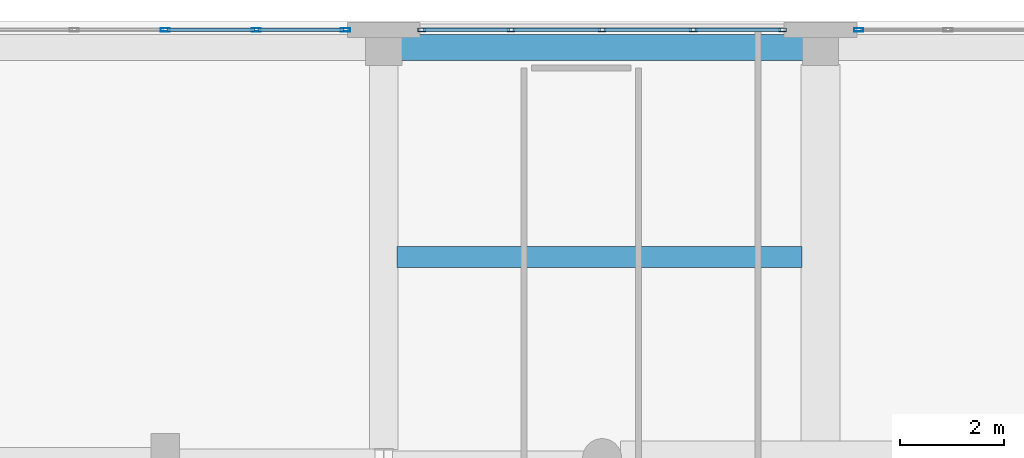
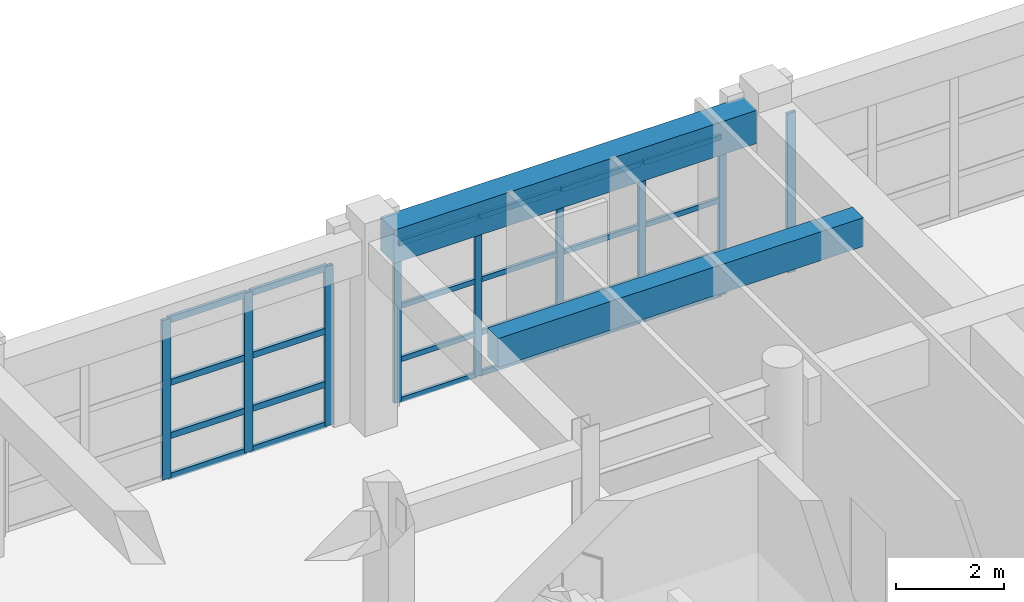
# One storey, part 72 of 123: 33 members, 2 beams, 3 elements without a shape of their own.
"""IFC4 building model written with IfcOpenShell, lengths in metres."""

from ifc_helpers import new_model, si_unit, direction, frame, origin, origin_2d, place, context, subcontext, project, spatial, rectangle, hollow_rectangle, extrude, material, layer, layer_set, material_profile, profile_set, type_object, element, aggregate, save


model = new_model("IFC4")

# Units and contexts
model_context = context("Model", 3, precision=1e-05, world=origin(), true_north=direction((0.0, 1.0)))
body_context = subcontext(model_context, "Body", "Model", "MODEL_VIEW")
ifc_project = project(units=[si_unit("LENGTHUNIT", "METRE"), si_unit("AREAUNIT", "SQUARE_METRE"), si_unit("VOLUMEUNIT", "CUBIC_METRE"), si_unit("PLANEANGLEUNIT", "RADIAN"), si_unit("MASSUNIT", "GRAM", prefix="KILO")], contexts=[model_context])

# Site, building, storey
site_placement = place(None, origin())
site = spatial("IfcSite", under=ifc_project, at=site_placement, CompositionType="ELEMENT")
building_placement = place(site_placement, origin())
building = spatial("IfcBuilding", under=site, at=building_placement, Name="Quendrovan Civic Courthouse", CompositionType="ELEMENT")
storey_placement = place(building_placement, frame((0.0, 0.0, 5.39990234375)))
storey = spatial("IfcBuildingStorey", under=building, at=storey_placement, Name="L02", CompositionType="ELEMENT", Elevation=5.39990234375)

# Beams
ifc_material_1 = material(Name="Concrete C40/50", Category="concrete")
ifc_material_profile_1 = material_profile(ifc_material_1, rectangle(XDim=0.39990234375, YDim=0.64990234375, at=origin_2d()), Name="RC-BM-400x650")
ifc_profile_set_1 = profile_set([ifc_material_profile_1], Name="Concrete C40/50")
beam_type_1 = type_object("IfcBeamType", Name="BM-RC650", PredefinedType="JOIST", material=ifc_profile_set_1)
beam_1_placement = place(storey_placement, frame((117.85498046875, 105.867919921875, 4.03515625), z_axis=(1.0, 0.0, 0.0), x_axis=(0.0, 1.0, 0.0)))
element("IfcBeam", 1, at=beam_1_placement, inside=storey, type_object=beam_type_1, Name="L02 Secondary Joist 0712", PredefinedType="JOIST", context=body_context, shape_type="SweptSolid", body=[
    extrude(rectangle(XDim=0.39990234375, YDim=0.64990234375, at=origin_2d()), origin(), (0.0, 0.0, 1.0), 7.7900390625),
])
ifc_material_profile_2 = material_profile(ifc_material_1, rectangle(XDim=0.5, YDim=0.75, at=origin_2d()), Name="RC-BM-500x750")
ifc_profile_set_2 = profile_set([ifc_material_profile_2], Name="Concrete C40/50")
beam_type_2 = type_object("IfcBeamType", Name="BM-RC750", PredefinedType="SPANDREL", material=ifc_profile_set_2)
beam_2_placement = place(storey_placement, frame((117.929931640625, 109.89990234375, 3.985107421875), z_axis=(1.0, 0.0, 0.0), x_axis=(0.0, 1.0, 0.0)))
element("IfcBeam", 2, at=beam_2_placement, inside=storey, type_object=beam_type_2, Name="L02 Girder X0600", PredefinedType="SPANDREL", context=body_context, shape_type="SweptSolid", body=[
    extrude(rectangle(XDim=0.5, YDim=0.75, at=origin_2d()), origin(), (0.0, 0.0, 1.0), 7.739990234375),
])

# Curtain wall, members
ifc_material_2 = material(Name="Bronze anodised aluminium and low-E glass", Category="aluminium")
ifc_layer = layer(ifc_material_2, 0.179931640625, Name="Bronze anodised aluminium and low-E glass")
ifc_layer_set = layer_set([ifc_layer], Name="Bronze anodised aluminium and low-E glass")
curtain_wall_type = type_object("IfcCurtainWallType", Name="CW-U70x36", PredefinedType="USERDEFINED", material=ifc_layer_set)
curtain_wall_1_placement = place(storey_placement, origin())
curtain_wall_1 = element("IfcCurtainWall", 3, at=curtain_wall_1_placement, inside=storey, type_object=curtain_wall_type, Name="L02 Unitised Hurricane Curtain Wall CW-090", ObjectType="UNITISED CURTAIN WALL", PredefinedType="USERDEFINED")
ifc_material_3 = material(Name="Bronze anodised aluminium", Category="aluminium")
ifc_material_profile_3 = material_profile(ifc_material_3, hollow_rectangle(XDim=0.070068359375, YDim=0.179931640625, WallThickness=0.00390625, at=origin_2d()), Name="CW-MULL-70x180")
ifc_profile_set_3 = profile_set([ifc_material_profile_3], Name="Bronze anodised aluminium")
member_type_1 = type_object("IfcMemberType", Name="CW-MULL-A", PredefinedType="MULLION", material=ifc_profile_set_3)
member_1_placement = place(storey_placement, frame((113.39990234375, 110.235107421875, 0.0), z_axis=(0.0, 0.0, 1.0), x_axis=(0.0, 1.0, 0.0)))
member_1 = element("IfcMember", 4, at=member_1_placement, type_object=member_type_1, Name="CW-090 mullion 3", PredefinedType="MULLION", context=body_context, shape_type="SweptSolid", body=[
    extrude(hollow_rectangle(XDim=0.070068359375, YDim=0.179931640625, WallThickness=0.00390625, at=origin_2d()), origin(), (0.0, 0.0, 1.0), 3.60009765625),
])
member_2_placement = place(storey_placement, frame((115.14990234375, 110.235107421875, 0.0), z_axis=(0.0, 0.0, 1.0), x_axis=(0.0, 1.0, 0.0)))
member_2 = element("IfcMember", 5, at=member_2_placement, type_object=member_type_1, Name="CW-090 mullion 4", PredefinedType="MULLION", context=body_context, shape_type="SweptSolid", body=[
    extrude(hollow_rectangle(XDim=0.070068359375, YDim=0.179931640625, WallThickness=0.00390625, at=origin_2d()), origin(), (0.0, 0.0, 1.0), 3.60009765625),
])
member_3_placement = place(storey_placement, frame((116.864990234375, 110.235107421875, 0.0), z_axis=(0.0, 0.0, 1.0), x_axis=(0.0, 1.0, 0.0)))
member_3 = element("IfcMember", 6, at=member_3_placement, type_object=member_type_1, Name="CW-090 mullion 5", PredefinedType="MULLION", context=body_context, shape_type="SweptSolid", body=[
    extrude(hollow_rectangle(XDim=0.070068359375, YDim=0.179931640625, WallThickness=0.00390625, at=origin_2d()), origin(), (0.0, 0.0, 1.0), 3.60009765625),
])

# Curtain wall, member
curtain_wall_2_placement = place(storey_placement, origin())
curtain_wall_2 = element("IfcCurtainWall", 7, at=curtain_wall_2_placement, inside=storey, type_object=curtain_wall_type, Name="L02 Unitised Hurricane Curtain Wall CW-092", ObjectType="UNITISED CURTAIN WALL", PredefinedType="USERDEFINED")
member_4_placement = place(storey_placement, frame((126.735107421875, 110.235107421875, 0.0), z_axis=(0.0, 0.0, 1.0), x_axis=(0.0, 1.0, 0.0)))
member_4 = element("IfcMember", 8, at=member_4_placement, type_object=member_type_1, Name="CW-092 mullion 1", PredefinedType="MULLION", context=body_context, shape_type="SweptSolid", body=[
    extrude(hollow_rectangle(XDim=0.070068359375, YDim=0.179931640625, WallThickness=0.00390625, at=origin_2d()), origin(), (0.0, 0.0, 1.0), 3.60009765625),
])
aggregate(curtain_wall_2, [member_4])

# Curtain wall, members
curtain_wall_3_placement = place(storey_placement, origin())
curtain_wall_3 = element("IfcCurtainWall", 9, at=curtain_wall_3_placement, inside=storey, type_object=curtain_wall_type, Name="L02 Unitised Hurricane Curtain Wall CW-091", ObjectType="UNITISED CURTAIN WALL", PredefinedType="USERDEFINED")
ifc_material_profile_4 = material_profile(ifc_material_3, hollow_rectangle(XDim=0.06494140625, YDim=0.14990234375, WallThickness=0.00390625, at=origin_2d()), Name="CW-MULL-65x150")
ifc_profile_set_4 = profile_set([ifc_material_profile_4], Name="Bronze anodised aluminium")
member_type_2 = type_object("IfcMemberType", Name="CW-MULL-B", PredefinedType="MULLION", material=ifc_profile_set_4)
member_5_placement = place(storey_placement, frame((118.33251953125, 110.235107421875, 0.0), z_axis=(0.0, 0.0, 1.0), x_axis=(0.0, 1.0, 0.0)))
member_5 = element("IfcMember", 10, at=member_5_placement, type_object=member_type_2, Name="CW-091 mullion 1", PredefinedType="MULLION", context=body_context, shape_type="SweptSolid", body=[
    extrude(hollow_rectangle(XDim=0.06494140625, YDim=0.14990234375, WallThickness=0.00390625, at=origin_2d()), origin(), (0.0, 0.0, 1.0), 3.60009765625),
])
member_6_placement = place(storey_placement, frame((120.050048828125, 110.235107421875, 0.0), z_axis=(0.0, 0.0, 1.0), x_axis=(0.0, 1.0, 0.0)))
member_6 = element("IfcMember", 11, at=member_6_placement, type_object=member_type_2, Name="CW-091 mullion 2", PredefinedType="MULLION", context=body_context, shape_type="SweptSolid", body=[
    extrude(hollow_rectangle(XDim=0.06494140625, YDim=0.14990234375, WallThickness=0.00390625, at=origin_2d()), origin(), (0.0, 0.0, 1.0), 3.60009765625),
])
member_7_placement = place(storey_placement, frame((121.800048828125, 110.235107421875, 0.0), z_axis=(0.0, 0.0, 1.0), x_axis=(0.0, 1.0, 0.0)))
member_7 = element("IfcMember", 12, at=member_7_placement, type_object=member_type_2, Name="CW-091 mullion 3", PredefinedType="MULLION", context=body_context, shape_type="SweptSolid", body=[
    extrude(hollow_rectangle(XDim=0.06494140625, YDim=0.14990234375, WallThickness=0.00390625, at=origin_2d()), origin(), (0.0, 0.0, 1.0), 3.60009765625),
])
member_8_placement = place(storey_placement, frame((123.550048828125, 110.235107421875, 0.0), z_axis=(0.0, 0.0, 1.0), x_axis=(0.0, 1.0, 0.0)))
member_8 = element("IfcMember", 13, at=member_8_placement, type_object=member_type_2, Name="CW-091 mullion 4", PredefinedType="MULLION", context=body_context, shape_type="SweptSolid", body=[
    extrude(hollow_rectangle(XDim=0.06494140625, YDim=0.14990234375, WallThickness=0.00390625, at=origin_2d()), origin(), (0.0, 0.0, 1.0), 3.60009765625),
])
member_9_placement = place(storey_placement, frame((125.267578125, 110.235107421875, 0.0), z_axis=(0.0, 0.0, 1.0), x_axis=(0.0, 1.0, 0.0)))
member_9 = element("IfcMember", 14, at=member_9_placement, type_object=member_type_2, Name="CW-091 mullion 5", PredefinedType="MULLION", context=body_context, shape_type="SweptSolid", body=[
    extrude(hollow_rectangle(XDim=0.06494140625, YDim=0.14990234375, WallThickness=0.00390625, at=origin_2d()), origin(), (0.0, 0.0, 1.0), 3.60009765625),
])

# Member
ifc_material_profile_5 = material_profile(ifc_material_3, hollow_rectangle(XDim=0.070068359375, YDim=0.139892578125, WallThickness=0.00390625, at=origin_2d()), Name="CW-TRAN-70x140")
ifc_profile_set_5 = profile_set([ifc_material_profile_5], Name="Bronze anodised aluminium")
member_type_3 = type_object("IfcMemberType", Name="CW-TRAN-A", PredefinedType="USERDEFINED", material=ifc_profile_set_5)
member_10_placement = place(storey_placement, frame((113.43505859375, 110.235107421875, 0.03515625), z_axis=(1.0, 0.0, 0.0), x_axis=(0.0, 1.0, 0.0)))
member_10 = element("IfcMember", 15, at=member_10_placement, type_object=member_type_3, Name="CW-090 transom 3.1", ObjectType="TRANSOM", PredefinedType="USERDEFINED", context=body_context, shape_type="SweptSolid", body=[
    extrude(hollow_rectangle(XDim=0.070068359375, YDim=0.139892578125, WallThickness=0.00390625, at=origin_2d()), origin(), (0.0, 0.0, 1.0), 1.679931640625),
])

member_11_placement = place(storey_placement, frame((113.43505859375, 110.235107421875, 0.9501953125), z_axis=(1.0, 0.0, 0.0), x_axis=(0.0, 1.0, 0.0)))
member_11 = element("IfcMember", 16, at=member_11_placement, type_object=member_type_3, Name="CW-090 transom 3.2", ObjectType="TRANSOM", PredefinedType="USERDEFINED", context=body_context, shape_type="SweptSolid", body=[
    extrude(hollow_rectangle(XDim=0.070068359375, YDim=0.139892578125, WallThickness=0.00390625, at=origin_2d()), origin(), (0.0, 0.0, 1.0), 1.679931640625),
])

member_12_placement = place(storey_placement, frame((113.43505859375, 110.235107421875, 2.150146484375), z_axis=(1.0, 0.0, 0.0), x_axis=(0.0, 1.0, 0.0)))
member_12 = element("IfcMember", 17, at=member_12_placement, type_object=member_type_3, Name="CW-090 transom 3.3", ObjectType="TRANSOM", PredefinedType="USERDEFINED", context=body_context, shape_type="SweptSolid", body=[
    extrude(hollow_rectangle(XDim=0.070068359375, YDim=0.139892578125, WallThickness=0.00390625, at=origin_2d()), origin(), (0.0, 0.0, 1.0), 1.679931640625),
])

member_13_placement = place(storey_placement, frame((113.43505859375, 110.235107421875, 3.565185546875), z_axis=(1.0, 0.0, 0.0), x_axis=(0.0, 1.0, 0.0)))
member_13 = element("IfcMember", 18, at=member_13_placement, type_object=member_type_3, Name="CW-090 transom 3.4", ObjectType="TRANSOM", PredefinedType="USERDEFINED", context=body_context, shape_type="SweptSolid", body=[
    extrude(hollow_rectangle(XDim=0.070068359375, YDim=0.139892578125, WallThickness=0.00390625, at=origin_2d()), origin(), (0.0, 0.0, 1.0), 1.679931640625),
])

member_14_placement = place(storey_placement, frame((115.18505859375, 110.235107421875, 0.03515625), z_axis=(1.0, 0.0, 0.0), x_axis=(0.0, 1.0, 0.0)))
member_14 = element("IfcMember", 19, at=member_14_placement, type_object=member_type_3, Name="CW-090 transom 4.1", ObjectType="TRANSOM", PredefinedType="USERDEFINED", context=body_context, shape_type="SweptSolid", body=[
    extrude(hollow_rectangle(XDim=0.070068359375, YDim=0.139892578125, WallThickness=0.00390625, at=origin_2d()), origin(), (0.0, 0.0, 1.0), 1.64501953125),
])

member_15_placement = place(storey_placement, frame((115.18505859375, 110.235107421875, 0.9501953125), z_axis=(1.0, 0.0, 0.0), x_axis=(0.0, 1.0, 0.0)))
member_15 = element("IfcMember", 20, at=member_15_placement, type_object=member_type_3, Name="CW-090 transom 4.2", ObjectType="TRANSOM", PredefinedType="USERDEFINED", context=body_context, shape_type="SweptSolid", body=[
    extrude(hollow_rectangle(XDim=0.070068359375, YDim=0.139892578125, WallThickness=0.00390625, at=origin_2d()), origin(), (0.0, 0.0, 1.0), 1.64501953125),
])

member_16_placement = place(storey_placement, frame((115.18505859375, 110.235107421875, 2.150146484375), z_axis=(1.0, 0.0, 0.0), x_axis=(0.0, 1.0, 0.0)))
member_16 = element("IfcMember", 21, at=member_16_placement, type_object=member_type_3, Name="CW-090 transom 4.3", ObjectType="TRANSOM", PredefinedType="USERDEFINED", context=body_context, shape_type="SweptSolid", body=[
    extrude(hollow_rectangle(XDim=0.070068359375, YDim=0.139892578125, WallThickness=0.00390625, at=origin_2d()), origin(), (0.0, 0.0, 1.0), 1.64501953125),
])

member_17_placement = place(storey_placement, frame((115.18505859375, 110.235107421875, 3.565185546875), z_axis=(1.0, 0.0, 0.0), x_axis=(0.0, 1.0, 0.0)))
member_17 = element("IfcMember", 22, at=member_17_placement, type_object=member_type_3, Name="CW-090 transom 4.4", ObjectType="TRANSOM", PredefinedType="USERDEFINED", context=body_context, shape_type="SweptSolid", body=[
    extrude(hollow_rectangle(XDim=0.070068359375, YDim=0.139892578125, WallThickness=0.00390625, at=origin_2d()), origin(), (0.0, 0.0, 1.0), 1.64501953125),
])

aggregate(curtain_wall_1, [member_1, member_2, member_3, member_10, member_11, member_12, member_13, member_14, member_15, member_16, member_17])

ifc_material_profile_6 = material_profile(ifc_material_3, hollow_rectangle(XDim=0.06494140625, YDim=0.114990234375, WallThickness=0.00390625, at=origin_2d()), Name="CW-TRAN-65x115")
ifc_profile_set_6 = profile_set([ifc_material_profile_6], Name="Bronze anodised aluminium")
member_type_4 = type_object("IfcMemberType", Name="CW-TRAN-B", PredefinedType="USERDEFINED", material=ifc_profile_set_6)
member_18_placement = place(storey_placement, frame((118.364990234375, 110.235107421875, 0.03271484375), z_axis=(1.0, 0.0, 0.0), x_axis=(0.0, 1.0, 0.0)))
member_18 = element("IfcMember", 23, at=member_18_placement, type_object=member_type_4, Name="CW-091 transom 1.1", ObjectType="TRANSOM", PredefinedType="USERDEFINED", context=body_context, shape_type="SweptSolid", body=[
    extrude(hollow_rectangle(XDim=0.06494140625, YDim=0.114990234375, WallThickness=0.00390625, at=origin_2d()), origin(), (0.0, 0.0, 1.0), 1.652587890625),
])

member_19_placement = place(storey_placement, frame((118.364990234375, 110.235107421875, 0.9501953125), z_axis=(1.0, 0.0, 0.0), x_axis=(0.0, 1.0, 0.0)))
member_19 = element("IfcMember", 24, at=member_19_placement, type_object=member_type_4, Name="CW-091 transom 1.2", ObjectType="TRANSOM", PredefinedType="USERDEFINED", context=body_context, shape_type="SweptSolid", body=[
    extrude(hollow_rectangle(XDim=0.06494140625, YDim=0.114990234375, WallThickness=0.00390625, at=origin_2d()), origin(), (0.0, 0.0, 1.0), 1.652587890625),
])

member_20_placement = place(storey_placement, frame((118.364990234375, 110.235107421875, 2.150146484375), z_axis=(1.0, 0.0, 0.0), x_axis=(0.0, 1.0, 0.0)))
member_20 = element("IfcMember", 25, at=member_20_placement, type_object=member_type_4, Name="CW-091 transom 1.3", ObjectType="TRANSOM", PredefinedType="USERDEFINED", context=body_context, shape_type="SweptSolid", body=[
    extrude(hollow_rectangle(XDim=0.06494140625, YDim=0.114990234375, WallThickness=0.00390625, at=origin_2d()), origin(), (0.0, 0.0, 1.0), 1.652587890625),
])

member_21_placement = place(storey_placement, frame((118.364990234375, 110.235107421875, 3.567626953125), z_axis=(1.0, 0.0, 0.0), x_axis=(0.0, 1.0, 0.0)))
member_21 = element("IfcMember", 26, at=member_21_placement, type_object=member_type_4, Name="CW-091 transom 1.4", ObjectType="TRANSOM", PredefinedType="USERDEFINED", context=body_context, shape_type="SweptSolid", body=[
    extrude(hollow_rectangle(XDim=0.06494140625, YDim=0.114990234375, WallThickness=0.00390625, at=origin_2d()), origin(), (0.0, 0.0, 1.0), 1.652587890625),
])

member_22_placement = place(storey_placement, frame((120.08251953125, 110.235107421875, 0.03271484375), z_axis=(1.0, 0.0, 0.0), x_axis=(0.0, 1.0, 0.0)))
member_22 = element("IfcMember", 27, at=member_22_placement, type_object=member_type_4, Name="CW-091 transom 2.1", ObjectType="TRANSOM", PredefinedType="USERDEFINED", context=body_context, shape_type="SweptSolid", body=[
    extrude(hollow_rectangle(XDim=0.06494140625, YDim=0.114990234375, WallThickness=0.00390625, at=origin_2d()), origin(), (0.0, 0.0, 1.0), 1.68505859375),
])

member_23_placement = place(storey_placement, frame((120.08251953125, 110.235107421875, 0.9501953125), z_axis=(1.0, 0.0, 0.0), x_axis=(0.0, 1.0, 0.0)))
member_23 = element("IfcMember", 28, at=member_23_placement, type_object=member_type_4, Name="CW-091 transom 2.2", ObjectType="TRANSOM", PredefinedType="USERDEFINED", context=body_context, shape_type="SweptSolid", body=[
    extrude(hollow_rectangle(XDim=0.06494140625, YDim=0.114990234375, WallThickness=0.00390625, at=origin_2d()), origin(), (0.0, 0.0, 1.0), 1.68505859375),
])

member_24_placement = place(storey_placement, frame((120.08251953125, 110.235107421875, 2.150146484375), z_axis=(1.0, 0.0, 0.0), x_axis=(0.0, 1.0, 0.0)))
member_24 = element("IfcMember", 29, at=member_24_placement, type_object=member_type_4, Name="CW-091 transom 2.3", ObjectType="TRANSOM", PredefinedType="USERDEFINED", context=body_context, shape_type="SweptSolid", body=[
    extrude(hollow_rectangle(XDim=0.06494140625, YDim=0.114990234375, WallThickness=0.00390625, at=origin_2d()), origin(), (0.0, 0.0, 1.0), 1.68505859375),
])

member_25_placement = place(storey_placement, frame((120.08251953125, 110.235107421875, 3.567626953125), z_axis=(1.0, 0.0, 0.0), x_axis=(0.0, 1.0, 0.0)))
member_25 = element("IfcMember", 30, at=member_25_placement, type_object=member_type_4, Name="CW-091 transom 2.4", ObjectType="TRANSOM", PredefinedType="USERDEFINED", context=body_context, shape_type="SweptSolid", body=[
    extrude(hollow_rectangle(XDim=0.06494140625, YDim=0.114990234375, WallThickness=0.00390625, at=origin_2d()), origin(), (0.0, 0.0, 1.0), 1.68505859375),
])

member_26_placement = place(storey_placement, frame((121.83251953125, 110.235107421875, 0.03271484375), z_axis=(1.0, 0.0, 0.0), x_axis=(0.0, 1.0, 0.0)))
member_26 = element("IfcMember", 31, at=member_26_placement, type_object=member_type_4, Name="CW-091 transom 3.1", ObjectType="TRANSOM", PredefinedType="USERDEFINED", context=body_context, shape_type="SweptSolid", body=[
    extrude(hollow_rectangle(XDim=0.06494140625, YDim=0.114990234375, WallThickness=0.00390625, at=origin_2d()), origin(), (0.0, 0.0, 1.0), 1.68505859375),
])

member_27_placement = place(storey_placement, frame((121.83251953125, 110.235107421875, 0.9501953125), z_axis=(1.0, 0.0, 0.0), x_axis=(0.0, 1.0, 0.0)))
member_27 = element("IfcMember", 32, at=member_27_placement, type_object=member_type_4, Name="CW-091 transom 3.2", ObjectType="TRANSOM", PredefinedType="USERDEFINED", context=body_context, shape_type="SweptSolid", body=[
    extrude(hollow_rectangle(XDim=0.06494140625, YDim=0.114990234375, WallThickness=0.00390625, at=origin_2d()), origin(), (0.0, 0.0, 1.0), 1.68505859375),
])

member_28_placement = place(storey_placement, frame((121.83251953125, 110.235107421875, 2.150146484375), z_axis=(1.0, 0.0, 0.0), x_axis=(0.0, 1.0, 0.0)))
member_28 = element("IfcMember", 33, at=member_28_placement, type_object=member_type_4, Name="CW-091 transom 3.3", ObjectType="TRANSOM", PredefinedType="USERDEFINED", context=body_context, shape_type="SweptSolid", body=[
    extrude(hollow_rectangle(XDim=0.06494140625, YDim=0.114990234375, WallThickness=0.00390625, at=origin_2d()), origin(), (0.0, 0.0, 1.0), 1.68505859375),
])

member_29_placement = place(storey_placement, frame((121.83251953125, 110.235107421875, 3.567626953125), z_axis=(1.0, 0.0, 0.0), x_axis=(0.0, 1.0, 0.0)))
member_29 = element("IfcMember", 34, at=member_29_placement, type_object=member_type_4, Name="CW-091 transom 3.4", ObjectType="TRANSOM", PredefinedType="USERDEFINED", context=body_context, shape_type="SweptSolid", body=[
    extrude(hollow_rectangle(XDim=0.06494140625, YDim=0.114990234375, WallThickness=0.00390625, at=origin_2d()), origin(), (0.0, 0.0, 1.0), 1.68505859375),
])

member_30_placement = place(storey_placement, frame((123.58251953125, 110.235107421875, 0.03271484375), z_axis=(1.0, 0.0, 0.0), x_axis=(0.0, 1.0, 0.0)))
member_30 = element("IfcMember", 35, at=member_30_placement, type_object=member_type_4, Name="CW-091 transom 4.1", ObjectType="TRANSOM", PredefinedType="USERDEFINED", context=body_context, shape_type="SweptSolid", body=[
    extrude(hollow_rectangle(XDim=0.06494140625, YDim=0.114990234375, WallThickness=0.00390625, at=origin_2d()), origin(), (0.0, 0.0, 1.0), 1.652587890625),
])

member_31_placement = place(storey_placement, frame((123.58251953125, 110.235107421875, 0.9501953125), z_axis=(1.0, 0.0, 0.0), x_axis=(0.0, 1.0, 0.0)))
member_31 = element("IfcMember", 36, at=member_31_placement, type_object=member_type_4, Name="CW-091 transom 4.2", ObjectType="TRANSOM", PredefinedType="USERDEFINED", context=body_context, shape_type="SweptSolid", body=[
    extrude(hollow_rectangle(XDim=0.06494140625, YDim=0.114990234375, WallThickness=0.00390625, at=origin_2d()), origin(), (0.0, 0.0, 1.0), 1.652587890625),
])

member_32_placement = place(storey_placement, frame((123.58251953125, 110.235107421875, 2.150146484375), z_axis=(1.0, 0.0, 0.0), x_axis=(0.0, 1.0, 0.0)))
member_32 = element("IfcMember", 37, at=member_32_placement, type_object=member_type_4, Name="CW-091 transom 4.3", ObjectType="TRANSOM", PredefinedType="USERDEFINED", context=body_context, shape_type="SweptSolid", body=[
    extrude(hollow_rectangle(XDim=0.06494140625, YDim=0.114990234375, WallThickness=0.00390625, at=origin_2d()), origin(), (0.0, 0.0, 1.0), 1.652587890625),
])

member_33_placement = place(storey_placement, frame((123.58251953125, 110.235107421875, 3.567626953125), z_axis=(1.0, 0.0, 0.0), x_axis=(0.0, 1.0, 0.0)))
member_33 = element("IfcMember", 38, at=member_33_placement, type_object=member_type_4, Name="CW-091 transom 4.4", ObjectType="TRANSOM", PredefinedType="USERDEFINED", context=body_context, shape_type="SweptSolid", body=[
    extrude(hollow_rectangle(XDim=0.06494140625, YDim=0.114990234375, WallThickness=0.00390625, at=origin_2d()), origin(), (0.0, 0.0, 1.0), 1.652587890625),
])

aggregate(curtain_wall_3, [member_5, member_6, member_7, member_8, member_9, member_18, member_19, member_20, member_21, member_22, member_23, member_24, member_25, member_26, member_27, member_28, member_29, member_30, member_31, member_32, member_33])

save(model, "model.ifc")
